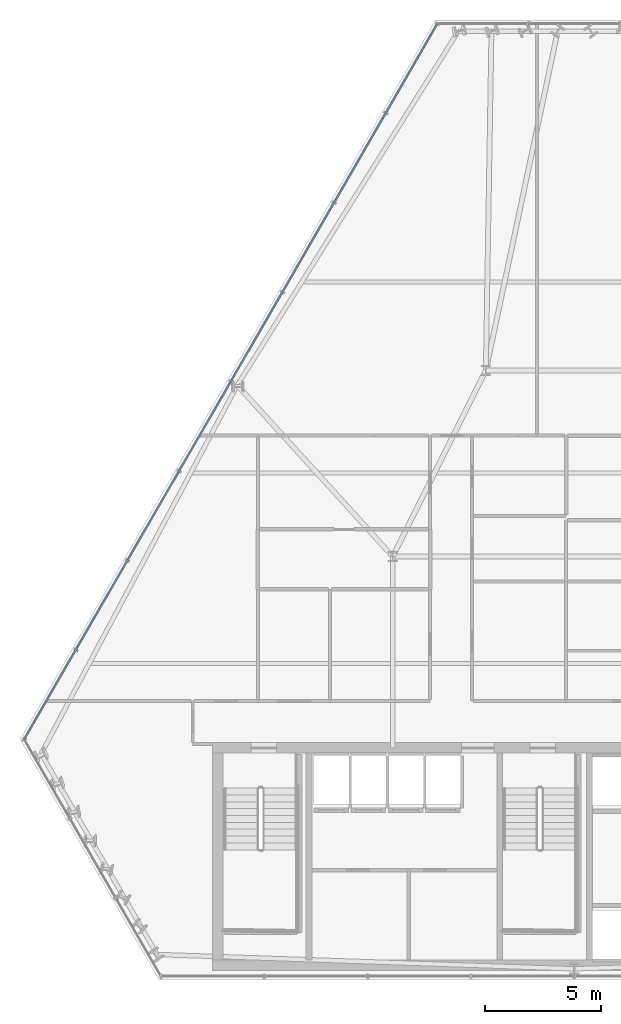
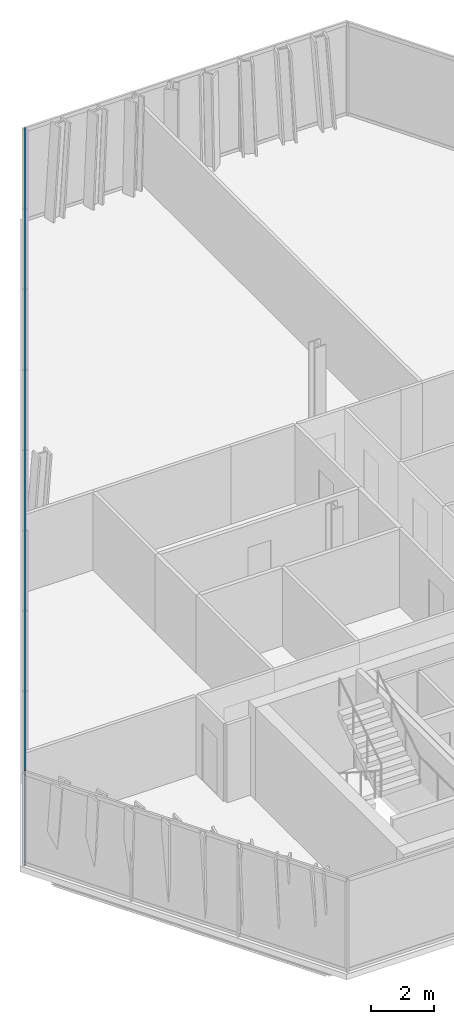
# One storey, part 12 of 31: 2 members, 1 element without a shape of its own.
"""IFC4 building model written with IfcOpenShell, lengths in metres."""

from ifc_helpers import new_model, si_unit, direction, frame, origin, origin_2d, place, context, subcontext, project, spatial, hollow_rectangle, extrude, material, layer, layer_set, material_profile, profile_set, type_object, element, aggregate, save


model = new_model("IFC4")

# Units and contexts
model_context = context("Model", 3, precision=1e-05, world=origin(), true_north=direction((0.0, 1.0)))
body_context = subcontext(model_context, "Body", "Model", "MODEL_VIEW")
ifc_project = project(units=[si_unit("LENGTHUNIT", "METRE"), si_unit("AREAUNIT", "SQUARE_METRE"), si_unit("VOLUMEUNIT", "CUBIC_METRE"), si_unit("PLANEANGLEUNIT", "RADIAN"), si_unit("MASSUNIT", "GRAM", prefix="KILO")], contexts=[model_context])

# Site, building, storey
site_placement = place(None, origin())
site = spatial("IfcSite", under=ifc_project, at=site_placement, CompositionType="ELEMENT")
building_placement = place(site_placement, origin())
building = spatial("IfcBuilding", under=site, at=building_placement, Name="Ndaravel Arena Tower", CompositionType="ELEMENT")
storey_placement = place(building_placement, frame((0.0, 0.0, 146.0)))
storey = spatial("IfcBuildingStorey", under=building, at=storey_placement, Name="L34", CompositionType="ELEMENT", Elevation=146.0)

# Curtain wall, members
ifc_material_1 = material(Name="Aluminium", Category="aluminium")
ifc_layer = layer(ifc_material_1, 0.179931640625)
ifc_layer_set = layer_set([ifc_layer], Name="Aluminium")
curtain_wall_type = type_object("IfcCurtainWallType", Name="CW-SYS-03", PredefinedType="NOTDEFINED", material=ifc_layer_set)
curtain_wall_placement = place(storey_placement, origin())
curtain_wall = element("IfcCurtainWall", 1, at=curtain_wall_placement, inside=storey, type_object=curtain_wall_type, Name="L34 Faceted Crystal Curtain Wall CW-L34-E05", PredefinedType="NOTDEFINED")
ifc_material_2 = material(Name="Aluminium", Category="aluminium")
ifc_material_profile = material_profile(ifc_material_2, hollow_rectangle(XDim=0.074951171875, YDim=0.14990234375, WallThickness=0.00390625, at=origin_2d()), Name="CW TRANSOM 75x150x4")
ifc_profile_set = profile_set([ifc_material_profile], Name="Aluminium")
member_type = type_object("IfcMemberType", Name="MEM-CW-TRN150", PredefinedType="USERDEFINED", material=ifc_profile_set)
member_1_placement = place(storey_placement, frame((36.12060546875, 46.10498046875, 0.0400390625), z_axis=(-0.499994154718, -0.866028778533, 0.0), x_axis=(0.866028778533, -0.499994154718, 0.0)))
member_1 = element("IfcMember", 2, at=member_1_placement, type_object=member_type, Name="CW-L34-E05 Transom 01", ObjectType="TRANSOM", PredefinedType="USERDEFINED", context=body_context, shape_type="SweptSolid", body=[
    extrude(hollow_rectangle(XDim=0.074951171875, YDim=0.14990234375, WallThickness=0.00390625, at=origin_2d()), origin(), (0.0, 0.0, 1.0), 35.5205078125),
])
member_2_placement = place(storey_placement, frame((36.12060546875, 46.10498046875, 3.5400390625), z_axis=(-0.499994154718, -0.866028778533, 0.0), x_axis=(0.866028778533, -0.499994154718, 0.0)))
member_2 = element("IfcMember", 3, at=member_2_placement, type_object=member_type, Name="CW-L34-E05 Transom 02", ObjectType="TRANSOM", PredefinedType="USERDEFINED", context=body_context, shape_type="SweptSolid", body=[
    extrude(hollow_rectangle(XDim=0.074951171875, YDim=0.14990234375, WallThickness=0.00390625, at=origin_2d()), origin(), (0.0, 0.0, 1.0), 35.5205078125),
])
aggregate(curtain_wall, [member_1, member_2])

save(model, "model.ifc")
